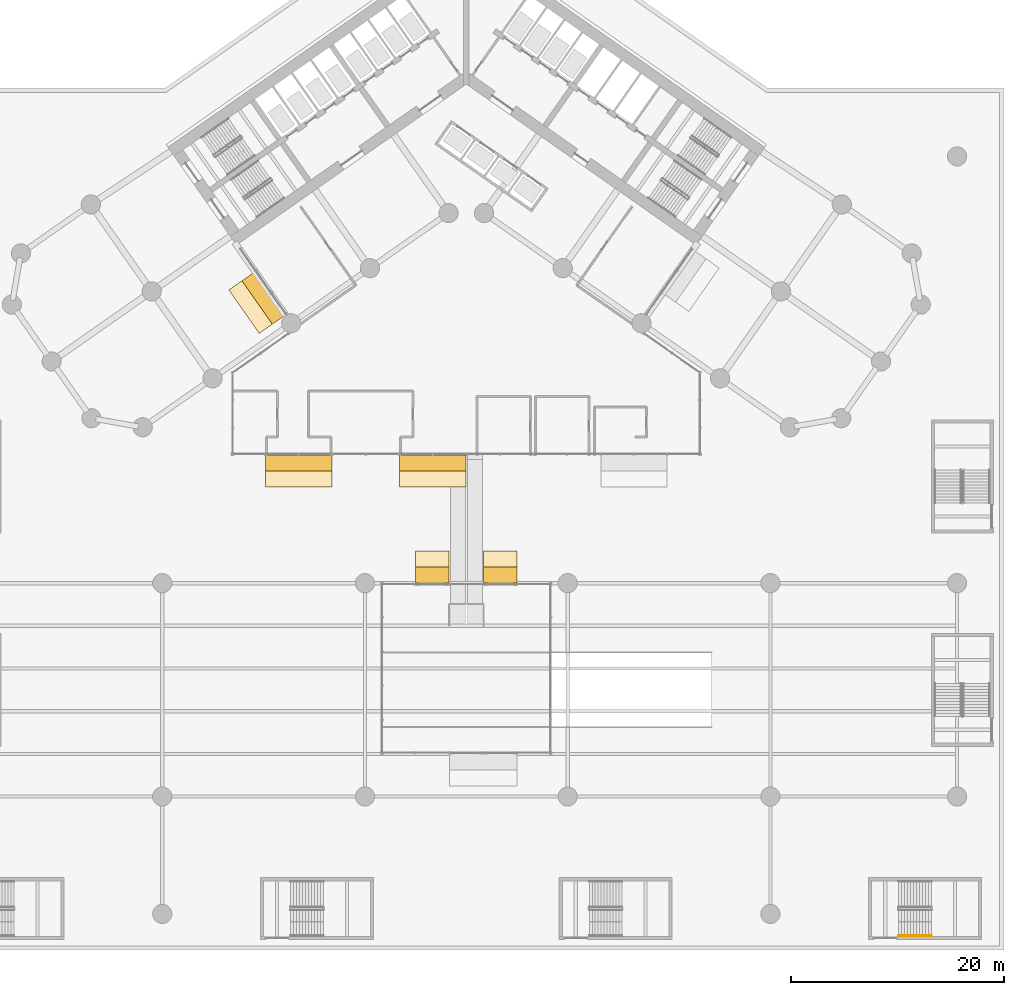
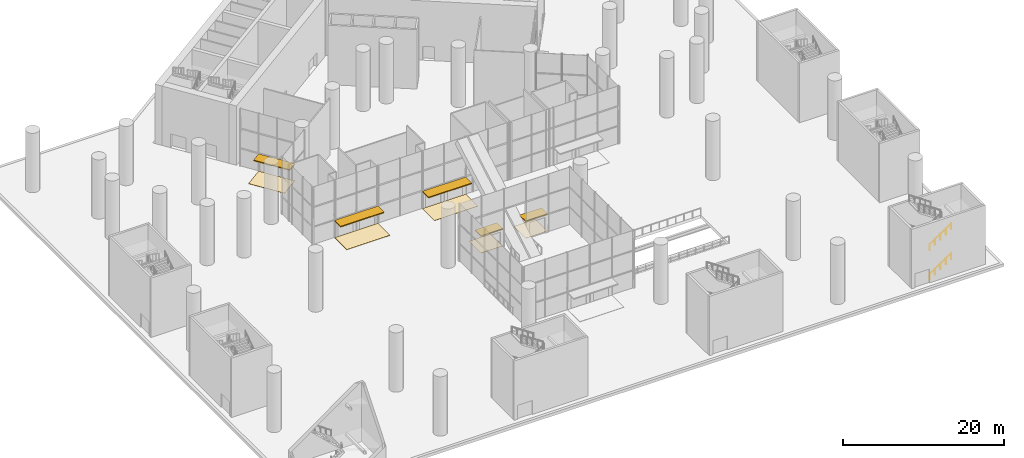
# One storey, part 31 of 37: 5 coverings, 5 shading devices, 2 railings.
"""IFC4 building model written with IfcOpenShell, lengths in metres."""

from ifc_helpers import new_model, si_unit, direction, frame, origin, origin_2d, place, context, subcontext, project, spatial, polyline, rectangle, circle, outline, extrude, material, layer, layer_set, type_object, element, save


model = new_model("IFC4")

# Units and contexts
model_context = context("Model", 3, precision=1e-05, world=origin(), true_north=direction((0.0, 1.0)))
body_context = subcontext(model_context, "Body", "Model", "MODEL_VIEW")
ifc_project = project(units=[si_unit("LENGTHUNIT", "METRE"), si_unit("AREAUNIT", "SQUARE_METRE"), si_unit("VOLUMEUNIT", "CUBIC_METRE"), si_unit("PLANEANGLEUNIT", "RADIAN"), si_unit("MASSUNIT", "GRAM", prefix="KILO")], contexts=[model_context])

# Site, building, storey
site_placement = place(None, origin())
site = spatial("IfcSite", under=ifc_project, at=site_placement, CompositionType="ELEMENT")
building_placement = place(site_placement, origin())
building = spatial("IfcBuilding", under=site, at=building_placement, Name="Tel Ilan Convention Tower", CompositionType="ELEMENT")
storey_placement = place(building_placement, origin())
storey = spatial("IfcBuildingStorey", under=building, at=storey_placement, Name="L00", CompositionType="ELEMENT", Elevation=0.0)

# Shading devices
ifc_material_1 = material(Name="Aluminium composite, bronze anodised", Category="aluminium")
ifc_layer_1 = layer(ifc_material_1, 0.14990234375)
ifc_layer_set_1 = layer_set([ifc_layer_1], Name="ENTRANCE CANOPY 150")
shading_device_type = type_object("IfcShadingDeviceType", Name="ENTRANCE CANOPY 150", PredefinedType="AWNING", material=ifc_layer_set_1)
for number, where, z_axis, x_axis, name in (
    (1, (-3.142822265625, -36.75, 2.5), (0.0, 0.0, 1.0), (-1.0, 0.0, 0.0), "Entrance canopy"),
    (2, (-15.71435546875, -36.75, 2.5), (0.0, 0.0, 1.0), (-1.0, 0.0, 0.0), "Entrance canopy"),
):
    element("IfcShadingDevice", number, at=place(storey_placement, frame(where, z_axis=z_axis, x_axis=x_axis)), inside=storey, type_object=shading_device_type, Name=name, PredefinedType="AWNING", context=body_context, shape_type="SweptSolid", body=[
        extrude(rectangle(XDim=6.225830078125, YDim=1.5, at=origin_2d()), origin(), (0.0, 0.0, 1.0), 0.14990234375),
    ])
shading_device_placement = place(storey_placement, frame((-18.991455078125, -21.258056640625, 2.5), z_axis=(0.0, 0.0, 1.0), x_axis=(-0.573576436351, 0.819152044289, 0.0)))
element("IfcShadingDevice", 3, at=shading_device_placement, inside=storey, type_object=shading_device_type, Name="Entrance canopy", PredefinedType="AWNING", context=body_context, shape_type="SweptSolid", body=[
    extrude(rectangle(XDim=4.96044921875, YDim=1.5, at=origin_2d()), origin(), (0.0, 0.0, 1.0), 0.14990234375),
])
for number, where, z_axis, x_axis, name in (
    (4, (3.199951171875, -47.25, 2.5), (0.0, 0.0, 1.0), (-1.0, 0.0, 0.0), "Entrance canopy"),
    (5, (-3.199951171875, -47.25, 2.5), (0.0, 0.0, 1.0), (-1.0, 0.0, 0.0), "Entrance canopy"),
):
    element("IfcShadingDevice", number, at=place(storey_placement, frame(where, z_axis=z_axis, x_axis=x_axis)), inside=storey, type_object=shading_device_type, Name=name, PredefinedType="AWNING", context=body_context, shape_type="SweptSolid", body=[
        extrude(rectangle(XDim=3.139892578125, YDim=1.5, at=origin_2d()), origin(), (0.0, 0.0, 1.0), 0.14990234375),
    ])

# Coverings
ifc_material_2 = material(Name="Flamed granite flooring, grey", Category="masonry")
ifc_layer_2 = layer(ifc_material_2, 0.030029296875)
ifc_layer_set_2 = layer_set([ifc_layer_2], Name="ENTRANCE STONE FLOORING 30")
covering_type = type_object("IfcCoveringType", Name="ENTRANCE STONE FLOORING 30", PredefinedType="FLOORING", material=ifc_layer_set_2)
covering_1_placement = place(storey_placement, origin())
element("IfcCovering", 6, at=covering_1_placement, inside=storey, type_object=covering_type, Name="Entrance flooring", PredefinedType="FLOORING", context=body_context, shape_type="SweptSolid", body=[
    extrude(outline(polyline([(-0.030029296875, -39.0), (-6.255615234375, -39.0), (-6.255615234375, -36.0), (-0.030029296875, -36.0), (-0.030029296875, -39.0)])), origin(), (0.0, 0.0, 1.0), 0.030029296875),
])
covering_2_placement = place(storey_placement, origin())
element("IfcCovering", 7, at=covering_2_placement, inside=storey, type_object=covering_type, Name="Entrance flooring", PredefinedType="FLOORING", context=body_context, shape_type="SweptSolid", body=[
    extrude(outline(polyline([(-12.601318359375, -39.0), (-18.8271484375, -39.0), (-18.8271484375, -36.0), (-12.601318359375, -36.0), (-12.601318359375, -39.0)])), origin(), (0.0, 0.0, 1.0), 0.030029296875),
])
covering_3_placement = place(storey_placement, origin())
element("IfcCovering", 8, at=covering_3_placement, inside=storey, type_object=covering_type, Name="Entrance flooring", PredefinedType="FLOORING", context=body_context, shape_type="SweptSolid", body=[
    extrude(outline(polyline([(-19.411865234375, -24.580322265625), (-22.257080078125, -20.516845703125), (-19.7998046875, -18.796142578125), (-16.95458984375, -22.859619140625), (-19.411865234375, -24.580322265625)])), origin(), (0.0, 0.0, 1.0), 0.030029296875),
])
covering_4_placement = place(storey_placement, origin())
element("IfcCovering", 9, at=covering_4_placement, inside=storey, type_object=covering_type, Name="Entrance flooring", PredefinedType="FLOORING", context=body_context, shape_type="SweptSolid", body=[
    extrude(outline(polyline([(4.77001953125, -48.0), (1.6298828125, -48.0), (1.6298828125, -45.0), (4.77001953125, -45.0), (4.77001953125, -48.0)])), origin(), (0.0, 0.0, 1.0), 0.030029296875),
])
covering_5_placement = place(storey_placement, origin())
element("IfcCovering", 10, at=covering_5_placement, inside=storey, type_object=covering_type, Name="Entrance flooring", PredefinedType="FLOORING", context=body_context, shape_type="SweptSolid", body=[
    extrude(outline(polyline([(-1.6298828125, -48.0), (-4.77001953125, -48.0), (-4.77001953125, -45.0), (-1.6298828125, -45.0), (-1.6298828125, -48.0)])), origin(), (0.0, 0.0, 1.0), 0.030029296875),
])

# Railings
ifc_material_3 = material(Name="Stainless Steel Grade 316", Category="steel")
railing_type = type_object("IfcRailingType", Name="Stainless Steel Stair Handrail 900 mm", PredefinedType="HANDRAIL", material=ifc_material_3)
for number, where, name in (
    (11, (40.52490234375, -81.050048828125, 0.1875), "L00 P4 stair handrail 1"),
    (12, (40.52490234375, -81.050048828125, 4.6875), "L00 P4 stair handrail 3"),
):
    element("IfcRailing", number, at=place(storey_placement, frame(where)), inside=storey, type_object=railing_type, Name=name, PredefinedType="HANDRAIL", context=body_context, shape_type="SweptSolid", body=[
        extrude(circle(Radius=0.02392578125, at=origin_2d()), frame((0.0, 0.0, 0.8759765625), z_axis=(0.830913701846, 0.0, 0.55640131208), x_axis=(0.0, 1.0, 0.0)), (0.0, 0.0, 1.0), 3.706787109375),
        extrude(circle(Radius=0.02099609375, at=origin_2d()), origin(), (0.0, 0.0, 1.0), 0.851806640625),
        extrude(circle(Radius=0.02099609375, at=origin_2d()), frame((0.77001953125, 0.0, 0.515625)), (0.0, 0.0, 1.0), 0.851806640625),
        extrude(circle(Radius=0.02099609375, at=origin_2d()), frame((1.5400390625, 0.0, 1.03125)), (0.0, 0.0, 1.0), 0.851806640625),
        extrude(circle(Radius=0.02099609375, at=origin_2d()), frame((2.31005859375, 0.0, 1.546875)), (0.0, 0.0, 1.0), 0.851806640625),
        extrude(circle(Radius=0.02099609375, at=origin_2d()), frame((3.080078125, 0.0, 2.0625)), (0.0, 0.0, 1.0), 0.851806640625),
    ])

save(model, "model.ifc")
